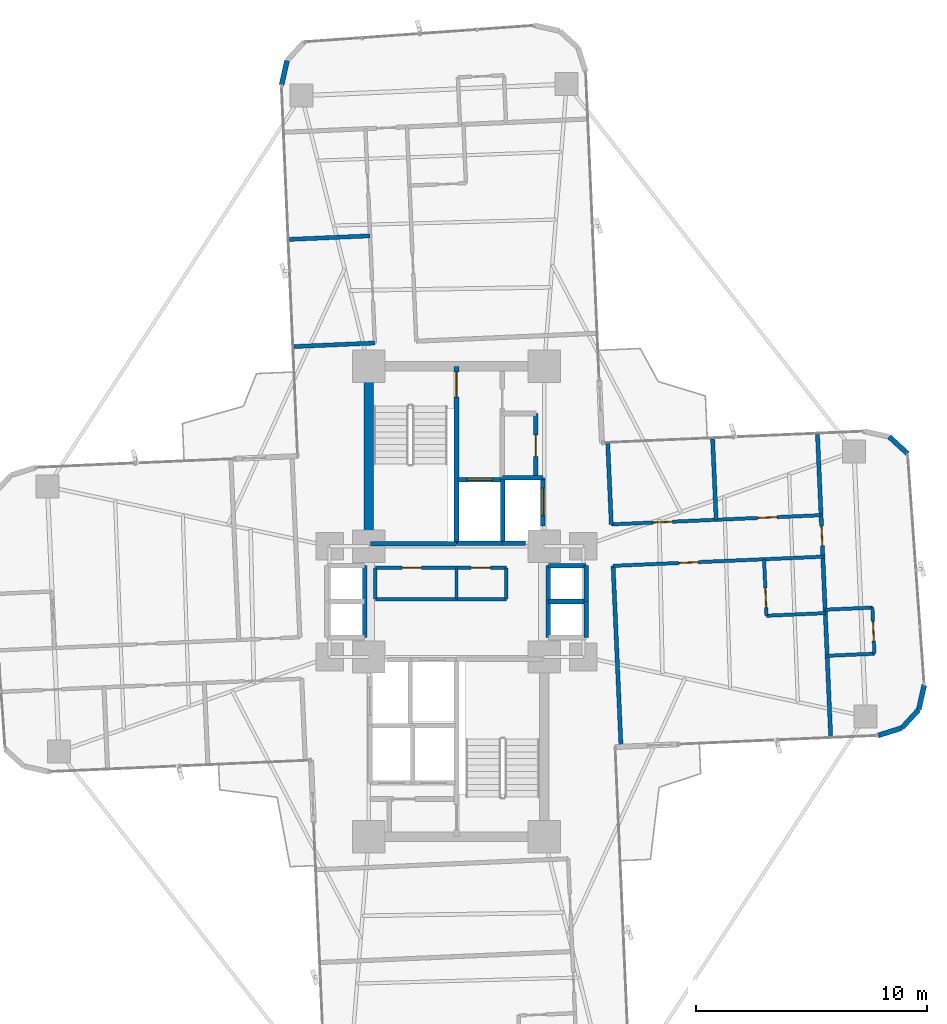
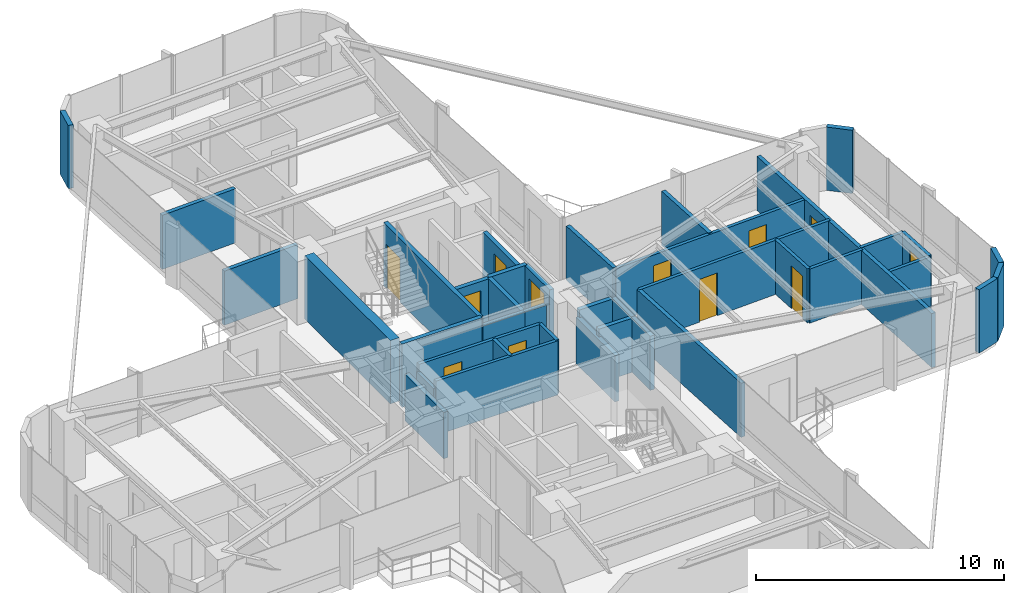
# One storey, part 24 of 26: 39 walls, 12 doors, 12 openings.
"""IFC4 building model written with IfcOpenShell, lengths in metres."""

from ifc_helpers import new_model, si_unit, direction, frame, frame_2d, origin, origin_2d, place, context, subcontext, project, spatial, rectangle, extrude, source, transform, mapped, material, layer, layer_set, type_object, element, fill, save


model = new_model("IFC4")

# Units and contexts
model_context = context("Model", 3, precision=1e-05, world=origin(), true_north=direction((0.0, 1.0)))
body_context = subcontext(model_context, "Body", "Model", "MODEL_VIEW")
ifc_project = project(units=[si_unit("LENGTHUNIT", "METRE"), si_unit("AREAUNIT", "SQUARE_METRE"), si_unit("VOLUMEUNIT", "CUBIC_METRE"), si_unit("PLANEANGLEUNIT", "RADIAN"), si_unit("MASSUNIT", "GRAM", prefix="KILO")], contexts=[model_context])

# Site, building, storey
site_placement = place(None, origin())
site = spatial("IfcSite", under=ifc_project, at=site_placement, CompositionType="ELEMENT")
building_placement = place(site_placement, origin())
building = spatial("IfcBuilding", under=site, at=building_placement, Name="Sahyath Konkavel Grand Hotel", CompositionType="ELEMENT")
storey_placement = place(building_placement, frame((0.0, 0.0, 114.800048828125)))
storey = spatial("IfcBuildingStorey", under=building, at=storey_placement, Name="L31", CompositionType="ELEMENT", Elevation=114.800048828125)

# Walls
ifc_material_1 = material(Name="Concrete C50/60", Category="concrete")
ifc_layer_1 = layer(ifc_material_1, 0.419921875)
ifc_layer_set_1 = layer_set([ifc_layer_1], Name="Concrete C50/60")
wall_type_1 = type_object("IfcWallType", Name="CWALL-420", PredefinedType="SHEAR", material=ifc_layer_set_1)
wall_1_placement = place(storey_placement, frame((-3.800048828125, 2.85009765625, 0.0), z_axis=(0.0, 0.0, 1.0), x_axis=(0.0, 1.0, 0.0)))
element("IfcWall", 1, at=wall_1_placement, inside=storey, type_object=wall_type_1, Name="L31 North Core Shear Wall W", PredefinedType="SHEAR", context=body_context, shape_type="SweptSolid", body=[
    extrude(rectangle(XDim=6.89990234375, YDim=0.419921875, at=frame_2d((3.449951171875, 0.0))), origin(), (0.0, 0.0, 1.0), 3.10986328125),
])
ifc_material_2 = material(Name="Warm Buff Sandstone Insulated Concrete C40/50", Category="masonry")
ifc_layer_2 = layer(ifc_material_2, 0.219970703125)
ifc_layer_set_2 = layer_set([ifc_layer_2], Name="Warm Buff Sandstone Insulated Concrete C40/50")
wall_type_2 = type_object("IfcWallType", Name="WLL-BALC-THRESH", PredefinedType="STANDARD", material=ifc_layer_set_2)
for number, where, z_axis, x_axis, name in (
    (2, (18.270751953125, -5.80859375, 0.0), (0.0, 0.0, 1.0), (0.953721713582, 0.30069069331, 0.0), "L31 Rounded Corner Sandstone Pier 1"),
    (3, (19.3076171875, -5.481689453125, 0.0), (0.0, 0.0, 1.0), (0.675551721847, 0.737312600672, 0.0), "L31 Rounded Corner Sandstone Pier 2"),
):
    element("IfcWall", number, at=place(storey_placement, frame(where, z_axis=z_axis, x_axis=x_axis)), inside=storey, type_object=wall_type_2, Name=name, PredefinedType="STANDARD", context=body_context, shape_type="SweptSolid", body=[
        extrude(rectangle(XDim=1.087158203125, YDim=0.219970703125, at=frame_2d((0.54345703125, 0.0))), origin(), (0.0, 0.0, 1.0), 3.10986328125),
    ])
for number, where, z_axis, x_axis, name in (
    (4, (20.0419921875, -4.68017578125, 0.0), (0.0, 0.0, 1.0), (0.216288323511, 0.976329535102, 0.0), "L31 Rounded Corner Sandstone Pier 3"),
    (5, (19.5576171875, 6.4091796875, 0.0), (0.0, 0.0, 1.0), (-0.737210081318, 0.675663596772, 0.0), "L31 Rounded Corner Sandstone Pier 5"),
):
    element("IfcWall", number, at=place(storey_placement, frame(where, z_axis=z_axis, x_axis=x_axis)), inside=storey, type_object=wall_type_2, Name=name, PredefinedType="STANDARD", context=body_context, shape_type="SweptSolid", body=[
        extrude(rectangle(XDim=1.0869140625, YDim=0.219970703125, at=frame_2d((0.54345703125, 0.0))), origin(), (0.0, 0.0, 1.0), 3.10986328125),
    ])
wall_2_placement = place(storey_placement, frame((-7.3486328125, 23.451904296875, 0.0), z_axis=(0.0, 0.0, 1.0), x_axis=(-0.216454939174, -0.976292609471, 0.0)))
element("IfcWall", 6, at=wall_2_placement, inside=storey, type_object=wall_type_2, Name="L31 Rounded Corner Sandstone Pier 14", PredefinedType="STANDARD", context=body_context, shape_type="SweptSolid", body=[
    extrude(rectangle(XDim=1.08740234375, YDim=0.219970703125, at=frame_2d((0.543701171875, 0.0))), origin(), (0.0, 0.0, 1.0), 3.10986328125),
])

# Wall, opening, door
ifc_material_3 = material(Name="Concrete C40/50", Category="concrete")
ifc_layer_3 = layer(ifc_material_3, 0.199951171875)
ifc_layer_set_3 = layer_set([ifc_layer_3], Name="Concrete C40/50")
wall_type_3 = type_object("IfcWallType", Name="WLL-CORE-200", PredefinedType="SOLIDWALL", material=ifc_layer_set_3)
wall_3_placement = place(storey_placement, frame((0.0, 2.5, 0.0), z_axis=(0.0, 0.0, 1.0), x_axis=(0.0, 1.0, 0.0)))
wall_3 = element("IfcWall", 7, at=wall_3_placement, inside=storey, type_object=wall_type_3, Name="L31 Stair ST-1 Shaft Wall E", PredefinedType="SOLIDWALL", context=body_context, shape_type="SweptSolid", body=[
    extrude(rectangle(XDim=7.679931640625, YDim=0.199951171875, at=frame_2d((3.83984375, 0.0))), origin(), (0.0, 0.0, 1.0), 3.10986328125),
])
opening_1_placement = place(wall_3_placement, frame((6.360107421875, 0.0, 0.0)))
opening_1 = element("IfcOpeningElement", 8, at=opening_1_placement, cuts=wall_3, Name="Opening D-F12B", PredefinedType="OPENING", context=body_context, shape_type="SweptSolid", body=[
    extrude(rectangle(XDim=1.10009765625, YDim=2.14990234375, at=frame_2d((0.550048828125, 1.074951171875))), frame((0.0, 0.10986328125, 0.0), z_axis=(0.0, -1.0, 0.0), x_axis=(1.0, 0.0, 0.0)), (0.0, 0.0, 1.0), 0.219970703125),
])
ifc_material_4 = material(Name="Steel E350 Smokeproof Fire Door", Category="steel")
door_type_1 = type_object("IfcDoorType", Name="DR-FD120-1100", OperationType="NOTDEFINED", PredefinedType="DOOR", material=ifc_material_4)
shared_shape_1 = source(origin(), body_context, "Body", "SweptSolid", [
    extrude(rectangle(XDim=1.10009765625, YDim=0.050048828125, at=origin_2d()), origin(), (0.0, 0.0, 1.0), 2.14990234375),
])
door_1_placement = place(opening_1_placement, frame((0.550048828125, 0.0, 0.0)))
door_1 = element("IfcDoor", 9, at=door_1_placement, inside=storey, type_object=door_type_1, Name="L31 Stair ST-1 Fire Door", OperationType="SINGLE_SWING_LEFT", OverallHeight=2.14990234375, OverallWidth=1.10009765625, PredefinedType="DOOR", context=body_context, shape_type="MappedRepresentation", body=[
    mapped(shared_shape_1, transform((0.0, 0.0, 0.0), scale=1.0)),
])
fill(opening_1, door_1)

# Walls
wall_4_placement = place(storey_placement, frame((-3.719970703125, 2.5, 0.0), z_axis=(0.0, 0.0, 1.0), x_axis=(1.0, 0.0, 0.0)))
element("IfcWall", 10, at=wall_4_placement, inside=storey, type_object=wall_type_3, Name="L31 Stair ST-1 Shaft Wall S", PredefinedType="SOLIDWALL", context=body_context, shape_type="SweptSolid", body=[
    extrude(rectangle(XDim=3.719970703125, YDim=0.199951171875, at=frame_2d((1.85986328125, 0.0))), origin(), (0.0, 0.0, 1.0), 3.10986328125),
])
wall_5_placement = place(storey_placement, frame((2.0, 2.5, 0.0), z_axis=(0.0, 0.0, 1.0), x_axis=(0.0, 1.0, 0.0)))
element("IfcWall", 11, at=wall_5_placement, inside=storey, type_object=wall_type_3, Name="L31 Partition SH-FFL1-E", PredefinedType="SOLIDWALL", context=body_context, shape_type="SweptSolid", body=[
    extrude(rectangle(XDim=2.780029296875, YDim=0.199951171875, at=frame_2d((1.39013671875, 0.0))), origin(), (0.0, 0.0, 1.0), 2.659912109375),
])
wall_6_placement = place(storey_placement, frame((0.050048828125, 2.52001953125, 0.0), z_axis=(0.0, 0.0, 1.0), x_axis=(1.0, 0.0, 0.0)))
element("IfcWall", 12, at=wall_6_placement, inside=storey, type_object=wall_type_3, Name="L31 Partition SH-FFL1-S", PredefinedType="SOLIDWALL", context=body_context, shape_type="SweptSolid", body=[
    extrude(rectangle(XDim=1.949951171875, YDim=0.199951171875, at=frame_2d((0.97509765625, 0.0))), origin(), (0.0, 0.0, 1.0), 2.659912109375),
])

# Wall, opening, door
wall_7_placement = place(storey_placement, frame((0.050048828125, 5.280029296875, 0.0), z_axis=(0.0, 0.0, 1.0), x_axis=(1.0, 0.0, 0.0)))
wall_7 = element("IfcWall", 13, at=wall_7_placement, inside=storey, type_object=wall_type_3, Name="L31 Partition SH-FFL1-N", PredefinedType="SOLIDWALL", context=body_context, shape_type="SweptSolid", body=[
    extrude(rectangle(XDim=1.929931640625, YDim=0.199951171875, at=frame_2d((0.96484375, 0.0))), origin(), (0.0, 0.0, 1.0), 2.659912109375),
])
opening_2_placement = place(wall_7_placement, frame((0.39990234375, 0.0, 0.0)))
opening_2 = element("IfcOpeningElement", 14, at=opening_2_placement, cuts=wall_7, Name="Opening LD-11", PredefinedType="OPENING", context=body_context, shape_type="SweptSolid", body=[
    extrude(rectangle(XDim=1.10009765625, YDim=2.199951171875, at=frame_2d((0.550048828125, 1.10009765625))), frame((0.0, 0.10986328125, 0.0), z_axis=(0.0, -1.0, 0.0), x_axis=(1.0, 0.0, 0.0)), (0.0, 0.0, 1.0), 0.219970703125),
])
ifc_material_5 = material(Name="Bronze Lift Landing Door 1100")
door_type_2 = type_object("IfcDoorType", Name="DR-LIFT-1100", OperationType="DOUBLE_DOOR_SLIDING", PredefinedType="DOOR", material=ifc_material_5)
shared_shape_2 = source(origin(), body_context, "Body", "SweptSolid", [
    extrude(rectangle(XDim=1.10009765625, YDim=0.050048828125, at=origin_2d()), origin(), (0.0, 0.0, 1.0), 2.199951171875),
])
door_2_placement = place(opening_2_placement, frame((0.550048828125, 0.0, 0.0)))
door_2 = element("IfcDoor", 15, at=door_2_placement, inside=storey, type_object=door_type_2, Name="L31 Lift FFL-1 Landing Door", OperationType="DOUBLE_DOOR_SLIDING", OverallHeight=2.199951171875, OverallWidth=1.10009765625, PredefinedType="DOOR", context=body_context, shape_type="MappedRepresentation", body=[
    mapped(shared_shape_2, transform((0.0, 0.0, 0.0), scale=1.0)),
])
fill(opening_2, door_2)

# Walls
wall_8_placement = place(storey_placement, frame((2.0, 2.52001953125, 0.0), z_axis=(0.0, 0.0, 1.0), x_axis=(1.0, 0.0, 0.0)))
element("IfcWall", 16, at=wall_8_placement, inside=storey, type_object=wall_type_3, Name="L31 Partition SH-SVL1-S", PredefinedType="SOLIDWALL", context=body_context, shape_type="SweptSolid", body=[
    extrude(rectangle(XDim=1.0, YDim=0.199951171875, at=frame_2d((0.5, 0.0))), origin(), (0.0, 0.0, 1.0), 2.659912109375),
])
wall_9_placement = place(storey_placement, frame((2.0, 5.360107421875, 0.0), z_axis=(0.0, 0.0, 1.0), x_axis=(1.0, 0.0, 0.0)))
element("IfcWall", 17, at=wall_9_placement, inside=storey, type_object=wall_type_3, Name="L31 Partition SH-SVL1-N", PredefinedType="SOLIDWALL", context=body_context, shape_type="SweptSolid", body=[
    extrude(rectangle(XDim=1.739990234375, YDim=0.199951171875, at=frame_2d((0.8701171875, 0.0))), origin(), (0.0, 0.0, 1.0), 2.659912109375),
])

# Wall, opening, door
wall_10_placement = place(storey_placement, frame((3.739990234375, 3.280029296875, 0.0), z_axis=(0.0, 0.0, 1.0), x_axis=(0.0, 1.0, 0.0)))
wall_10 = element("IfcWall", 18, at=wall_10_placement, inside=storey, type_object=wall_type_3, Name="L31 Partition SH-SVL1-E", PredefinedType="SOLIDWALL", context=body_context, shape_type="SweptSolid", body=[
    extrude(rectangle(XDim=2.080078125, YDim=0.199951171875, at=frame_2d((1.0400390625, 0.0))), origin(), (0.0, 0.0, 1.0), 2.659912109375),
])
opening_3_placement = place(wall_10_placement, frame((0.43994140625, 0.0, 0.0)))
opening_3 = element("IfcOpeningElement", 19, at=opening_3_placement, cuts=wall_10, Name="Opening LD-12", PredefinedType="OPENING", context=body_context, shape_type="SweptSolid", body=[
    extrude(rectangle(XDim=1.199951171875, YDim=2.199951171875, at=frame_2d((0.60009765625, 1.10009765625))), frame((0.0, 0.10986328125, 0.0), z_axis=(0.0, -1.0, 0.0), x_axis=(1.0, 0.0, 0.0)), (0.0, 0.0, 1.0), 0.219970703125),
])
ifc_material_6 = material(Name="Stainless Steel Lift Landing Door 1200", Category="steel")
door_type_3 = type_object("IfcDoorType", Name="DR-LIFT-1200", OperationType="DOUBLE_DOOR_SLIDING", PredefinedType="DOOR", material=ifc_material_6)
shared_shape_3 = source(origin(), body_context, "Body", "SweptSolid", [
    extrude(rectangle(XDim=1.199951171875, YDim=0.050048828125, at=origin_2d()), origin(), (0.0, 0.0, 1.0), 2.199951171875),
])
door_3_placement = place(opening_3_placement, frame((0.60009765625, 0.0, 0.0)))
door_3 = element("IfcDoor", 20, at=door_3_placement, inside=storey, type_object=door_type_3, Name="L31 Service Lift SVL-1 Landing Door", OperationType="DOUBLE_DOOR_SLIDING", OverallHeight=2.199951171875, OverallWidth=1.199951171875, PredefinedType="DOOR", context=body_context, shape_type="MappedRepresentation", body=[
    mapped(shared_shape_3, transform((0.0, 0.0, 0.0), scale=1.0)),
])
fill(opening_3, door_3)

# Walls
wall_11_placement = place(storey_placement, frame((3.97998046875, -1.56005859375, 0.0), z_axis=(0.0, 0.0, 1.0), x_axis=(0.0, 1.0, 0.0)))
element("IfcWall", 21, at=wall_11_placement, inside=storey, type_object=wall_type_3, Name="L31 Partition SH-PL56-W", PredefinedType="SOLIDWALL", context=body_context, shape_type="SweptSolid", body=[
    extrude(rectangle(XDim=3.1201171875, YDim=0.199951171875, at=frame_2d((1.56005859375, 0.0))), origin(), (0.0, 0.0, 1.0), 2.280029296875),
])
for number, where, z_axis, x_axis, name in (
    (22, (3.97998046875, 1.56005859375, 0.0), (0.0, 0.0, 1.0), (1.0, 0.0, 0.0), "L31 Partition SH-PL56-N"),
    (23, (3.97998046875, 0.0, 0.0), (0.0, 0.0, 1.0), (1.0, 0.0, 0.0), "L31 Partition SH-PL56-M"),
):
    element("IfcWall", number, at=place(storey_placement, frame(where, z_axis=z_axis, x_axis=x_axis)), inside=storey, type_object=wall_type_3, Name=name, PredefinedType="SOLIDWALL", context=body_context, shape_type="SweptSolid", body=[
        extrude(rectangle(XDim=1.64013671875, YDim=0.199951171875, at=frame_2d((0.820068359375, 0.0))), origin(), (0.0, 0.0, 1.0), 2.659912109375),
    ])
for number, where, z_axis, x_axis, name in (
    (24, (5.6201171875, 0.0, 0.0), (0.0, 0.0, 1.0), (0.0, 1.0, 0.0), "L31 Partition SH-PL5-E"),
    (25, (5.6201171875, -1.56005859375, 0.0), (0.0, 0.0, 1.0), (0.0, 1.0, 0.0), "L31 Partition SH-PL6-E"),
):
    element("IfcWall", number, at=place(storey_placement, frame(where, z_axis=z_axis, x_axis=x_axis)), inside=storey, type_object=wall_type_3, Name=name, PredefinedType="SOLIDWALL", context=body_context, shape_type="SweptSolid", body=[
        extrude(rectangle(XDim=1.56005859375, YDim=0.199951171875, at=frame_2d((0.780029296875, 0.0))), origin(), (0.0, 0.0, 1.0), 2.659912109375),
    ])
wall_12_placement = place(storey_placement, frame((-3.97998046875, -1.56005859375, 0.0), z_axis=(0.0, 0.0, 1.0), x_axis=(0.0, 1.0, 0.0)))
element("IfcWall", 26, at=wall_12_placement, inside=storey, type_object=wall_type_3, Name="L31 Partition SH-SL12-E", PredefinedType="SOLIDWALL", context=body_context, shape_type="SweptSolid", body=[
    extrude(rectangle(XDim=3.1201171875, YDim=0.199951171875, at=frame_2d((1.56005859375, 0.0))), origin(), (0.0, 0.0, 1.0), 2.280029296875),
])

# Wall, opening, door
wall_13_placement = place(storey_placement, frame((3.43994140625, 5.3798828125, 0.0), z_axis=(0.0, 0.0, 1.0), x_axis=(0.0, 1.0, 0.0)))
wall_13 = element("IfcWall", 27, at=wall_13_placement, inside=storey, type_object=wall_type_3, Name="L31 Reclaimed North Core Wall E", PredefinedType="SOLIDWALL", context=body_context, shape_type="SweptSolid", body=[
    extrude(rectangle(XDim=2.77001953125, YDim=0.199951171875, at=frame_2d((1.385009765625, 0.0))), origin(), (0.0, 0.0, 1.0), 2.659912109375),
])
opening_4_placement = place(wall_13_placement, frame((0.89990234375, 0.0, 0.0)))
opening_4 = element("IfcOpeningElement", 28, at=opening_4_placement, cuts=wall_13, Name="Opening D-F06B", PredefinedType="OPENING", context=body_context, shape_type="SweptSolid", body=[
    extrude(rectangle(XDim=0.949951171875, YDim=2.14990234375, at=frame_2d((0.47509765625, 1.074951171875))), frame((0.0, 0.10986328125, 0.0), z_axis=(0.0, -1.0, 0.0), x_axis=(1.0, 0.0, 0.0)), (0.0, 0.0, 1.0), 0.219970703125),
])
ifc_material_7 = material(Name="Teak Veneer Fire-Rated Guest Entrance Door")
door_type_4 = type_object("IfcDoorType", Name="DR-FD60-950", OperationType="NOTDEFINED", PredefinedType="DOOR", material=ifc_material_7)
shared_shape_4 = source(origin(), body_context, "Body", "SweptSolid", [
    extrude(rectangle(XDim=0.949951171875, YDim=0.050048828125, at=origin_2d()), origin(), (0.0, 0.0, 1.0), 2.14990234375),
])
door_4_placement = place(opening_4_placement, frame((0.47509765625, 0.0, 0.0)))
door_4 = element("IfcDoor", 29, at=door_4_placement, inside=storey, type_object=door_type_4, Name="L31 Door NC-REC1-D", OperationType="SINGLE_SWING_RIGHT", OverallHeight=2.14990234375, OverallWidth=0.949951171875, PredefinedType="DOOR", context=body_context, shape_type="MappedRepresentation", body=[
    mapped(shared_shape_4, transform((0.0, 0.0, 0.0), scale=1.0)),
])
fill(opening_4, door_4)

# Walls
ifc_material_8 = material(Name="Twin-Stud Acoustic Gypsum Plasterboard Partition")
ifc_layer_4 = layer(ifc_material_8, 0.179931640625)
ifc_layer_set_4 = layer_set([ifc_layer_4], Name="Twin-Stud Acoustic Gypsum Plasterboard Partition")
wall_type_4 = type_object("IfcWallType", Name="WLL-DEMISE-180", PredefinedType="PARTITIONING", material=ifc_layer_set_4)
wall_14_placement = place(storey_placement, frame((6.71044921875, 3.345947265625, 0.0), z_axis=(0.0, 0.0, 1.0), x_axis=(-0.043597663116, 0.999049169846, 0.0)))
element("IfcWall", 30, at=wall_14_placement, inside=storey, type_object=wall_type_4, Name="L31 Partition E-INL", PredefinedType="PARTITIONING", context=body_context, shape_type="SweptSolid", body=[
    extrude(rectangle(XDim=3.5, YDim=0.179931640625, at=frame_2d((1.75, 0.0))), origin(), (0.0, 0.0, 1.0), 2.659912109375),
])
wall_15_placement = place(storey_placement, frame((7.129150390625, -6.2451171875, 0.0), z_axis=(0.0, 0.0, 1.0), x_axis=(-0.043600217373, 0.999049058378, 0.0)))
element("IfcWall", 31, at=wall_15_placement, inside=storey, type_object=wall_type_4, Name="L31 Partition E-INR", PredefinedType="PARTITIONING", context=body_context, shape_type="SweptSolid", body=[
    extrude(rectangle(XDim=7.800048828125, YDim=0.179931640625, at=frame_2d((3.89990234375, 0.0))), origin(), (0.0, 0.0, 1.0), 2.659912109375),
])
wall_16_placement = place(storey_placement, frame((11.256103515625, 3.54443359375, 0.0), z_axis=(0.0, 0.0, 1.0), x_axis=(-0.043597663116, 0.999049169846, 0.0)))
element("IfcWall", 32, at=wall_16_placement, inside=storey, type_object=wall_type_4, Name="L31 Partition E-E4L1-DEM", PredefinedType="PARTITIONING", context=body_context, shape_type="SweptSolid", body=[
    extrude(rectangle(XDim=3.5, YDim=0.179931640625, at=frame_2d((1.75, 0.0))), origin(), (0.0, 0.0, 1.0), 2.659912109375),
])

# Wall, opening, door
wall_17_placement = place(storey_placement, frame((16.220458984375, -5.847900390625, 0.0), z_axis=(0.0, 0.0, 1.0), x_axis=(-0.043610300466, 0.999048618283, 0.0)))
wall_17 = element("IfcWall", 33, at=wall_17_placement, inside=storey, type_object=wall_type_4, Name="L31 Partition E-ETIP-END", PredefinedType="PARTITIONING", context=body_context, shape_type="SweptSolid", body=[
    extrude(rectangle(XDim=13.099853515625, YDim=0.179931640625, at=frame_2d((6.5498046875, 0.0))), origin(), (0.0, 0.0, 1.0), 2.659912109375),
])
opening_5_placement = place(wall_17_placement, frame((8.27490234375, 0.0, 0.0)))
opening_5 = element("IfcOpeningElement", 34, at=opening_5_placement, cuts=wall_17, Name="Opening D-F06D", PredefinedType="OPENING", context=body_context, shape_type="SweptSolid", body=[
    extrude(rectangle(XDim=0.85009765625, YDim=2.10009765625, at=frame_2d((0.425048828125, 1.050048828125))), frame((0.0, 0.10009765625, 0.0), z_axis=(0.0, -1.0, 0.0), x_axis=(1.0, 0.0, 0.0)), (0.0, 0.0, 1.0), 0.199951171875),
])
ifc_material_9 = material(Name="Fire-Rated Shaft Access Door")
door_type_5 = type_object("IfcDoorType", Name="DR-FD60-850", OperationType="NOTDEFINED", PredefinedType="DOOR", material=ifc_material_9)
shared_shape_5 = source(origin(), body_context, "Body", "SweptSolid", [
    extrude(rectangle(XDim=0.85009765625, YDim=0.050048828125, at=origin_2d()), origin(), (0.0, 0.0, 1.0), 2.10009765625),
])
door_5_placement = place(opening_5_placement, frame((0.425048828125, 0.0, 0.0)))
door_5 = element("IfcDoor", 35, at=door_5_placement, inside=storey, type_object=door_type_5, Name="L31 Door E-ETIP-ED", OperationType="SINGLE_SWING_RIGHT", OverallHeight=2.10009765625, OverallWidth=0.85009765625, PredefinedType="DOOR", context=body_context, shape_type="MappedRepresentation", body=[
    mapped(shared_shape_5, transform((0.0, 0.0, 0.0), scale=1.0)),
])
fill(opening_5, door_5)

# Walls
for number, where, z_axis, x_axis, name in (
    (36, (-3.542236328125, 11.206298828125, 0.0), (0.0, 0.0, 1.0), (-0.999046129111, -0.04366728647, 0.0), "L31 Partition N-INL"),
    (37, (-3.7451171875, 15.851806640625, 0.0), (0.0, 0.0, 1.0), (-0.999049169846, -0.043597663116, 0.0), "L31 Partition N-N4L1-DEM"),
):
    element("IfcWall", number, at=place(storey_placement, frame(where, z_axis=z_axis, x_axis=x_axis)), inside=storey, type_object=wall_type_4, Name=name, PredefinedType="PARTITIONING", context=body_context, shape_type="SweptSolid", body=[
        extrude(rectangle(XDim=3.5, YDim=0.179931640625, at=frame_2d((1.75, 0.0))), origin(), (0.0, 0.0, 1.0), 2.659912109375),
    ])
ifc_material_10 = material(Name="Fire-Rated Gypsum Plasterboard Partition")
ifc_layer_5 = layer(ifc_material_10, 0.14990234375)
ifc_layer_set_5 = layer_set([ifc_layer_5], Name="Fire-Rated Gypsum Plasterboard Partition")
wall_type_5 = type_object("IfcWallType", Name="WLL-PART-150", PredefinedType="PARTITIONING", material=ifc_layer_set_5)
wall_18_placement = place(storey_placement, frame((-3.52001953125, 0.10009765625, 0.0), z_axis=(0.0, 0.0, 1.0), x_axis=(1.0, 0.0, 0.0)))
element("IfcWall", 38, at=wall_18_placement, inside=storey, type_object=wall_type_5, Name="L31 Partition CC-S0-FIX", PredefinedType="PARTITIONING", context=body_context, shape_type="SweptSolid", body=[
    extrude(rectangle(XDim=5.679931640625, YDim=0.14990234375, at=frame_2d((2.83984375, 0.0))), origin(), (0.0, 0.0, 1.0), 2.659912109375),
])

# Wall, openings, doors
wall_19_placement = place(storey_placement, frame((-3.52001953125, 1.4599609375, 0.0), z_axis=(0.0, 0.0, 1.0), x_axis=(1.0, 0.0, 0.0)))
wall_19 = element("IfcWall", 39, at=wall_19_placement, inside=storey, type_object=wall_type_5, Name="L31 Partition CC-N0", PredefinedType="PARTITIONING", context=body_context, shape_type="SweptSolid", body=[
    extrude(rectangle(XDim=5.679931640625, YDim=0.14990234375, at=frame_2d((2.83984375, 0.0))), origin(), (0.0, 0.0, 1.0), 2.659912109375),
])
opening_6_placement = place(wall_19_placement, frame((1.14990234375, 0.0, 0.0)))
opening_6 = element("IfcOpeningElement", 40, at=opening_6_placement, cuts=wall_19, Name="Opening D-F06D", PredefinedType="OPENING", context=body_context, shape_type="SweptSolid", body=[
    extrude(rectangle(XDim=0.85009765625, YDim=2.10009765625, at=frame_2d((0.425048828125, 1.050048828125))), frame((0.0, 0.0849609375, 0.0), z_axis=(0.0, -1.0, 0.0), x_axis=(1.0, 0.0, 0.0)), (0.0, 0.0, 1.0), 0.169921875),
])
opening_7_placement = place(wall_19_placement, frame((4.14990234375, 0.0, 0.0)))
opening_7 = element("IfcOpeningElement", 41, at=opening_7_placement, cuts=wall_19, Name="Opening D-F06D", PredefinedType="OPENING", context=body_context, shape_type="SweptSolid", body=[
    extrude(rectangle(XDim=0.85009765625, YDim=2.10009765625, at=frame_2d((0.425048828125, 1.050048828125))), frame((0.0, 0.0849609375, 0.0), z_axis=(0.0, -1.0, 0.0), x_axis=(1.0, 0.0, 0.0)), (0.0, 0.0, 1.0), 0.169921875),
])
door_6_placement = place(opening_6_placement, frame((0.425048828125, 0.0, 0.0)))
door_6 = element("IfcDoor", 42, at=door_6_placement, inside=storey, type_object=door_type_5, Name="L31 Door CC-D0A", OperationType="SINGLE_SWING_LEFT", OverallHeight=2.10009765625, OverallWidth=0.85009765625, PredefinedType="DOOR", context=body_context, shape_type="MappedRepresentation", body=[
    mapped(shared_shape_5, transform((0.0, 0.0, 0.0), scale=1.0)),
])
fill(opening_6, door_6)
door_7_placement = place(opening_7_placement, frame((0.425048828125, 0.0, 0.0)))
door_7 = element("IfcDoor", 43, at=door_7_placement, inside=storey, type_object=door_type_5, Name="L31 Door CC-D0B", OperationType="SINGLE_SWING_RIGHT", OverallHeight=2.10009765625, OverallWidth=0.85009765625, PredefinedType="DOOR", context=body_context, shape_type="MappedRepresentation", body=[
    mapped(shared_shape_5, transform((0.0, 0.0, 0.0), scale=1.0)),
])
fill(opening_7, door_7)

# Walls
wall_20_placement = place(storey_placement, frame((-3.52001953125, 0.10009765625, 0.0), z_axis=(0.0, 0.0, 1.0), x_axis=(0.0, 1.0, 0.0)))
element("IfcWall", 44, at=wall_20_placement, inside=storey, type_object=wall_type_5, Name="L31 Partition CC-W0", PredefinedType="PARTITIONING", context=body_context, shape_type="SweptSolid", body=[
    extrude(rectangle(XDim=1.35986328125, YDim=0.14990234375, at=frame_2d((0.679931640625, 0.0))), origin(), (0.0, 0.0, 1.0), 2.280029296875),
])
for number, where, z_axis, x_axis, name in (
    (45, (2.159912109375, 0.10009765625, 0.0), (0.0, 0.0, 1.0), (0.0, 1.0, 0.0), "L31 Partition CC-E0"),
    (46, (0.0, 0.10009765625, 0.0), (0.0, 0.0, 1.0), (0.0, 1.0, 0.0), "L31 Partition CC-M0"),
):
    element("IfcWall", number, at=place(storey_placement, frame(where, z_axis=z_axis, x_axis=x_axis)), inside=storey, type_object=wall_type_5, Name=name, PredefinedType="PARTITIONING", context=body_context, shape_type="SweptSolid", body=[
        extrude(rectangle(XDim=1.35986328125, YDim=0.14990234375, at=frame_2d((0.679931640625, 0.0))), origin(), (0.0, 0.0, 1.0), 2.659912109375),
    ])

# Wall, openings, doors
wall_21_placement = place(storey_placement, frame((6.71044921875, 3.345947265625, 0.0), z_axis=(0.0, 0.0, 1.0), x_axis=(0.999048041751, 0.043623505985, 0.0)))
wall_21 = element("IfcWall", 47, at=wall_21_placement, inside=storey, type_object=wall_type_5, Name="L31 Partition E-CL", PredefinedType="PARTITIONING", context=body_context, shape_type="SweptSolid", body=[
    extrude(rectangle(XDim=9.099853515625, YDim=0.14990234375, at=frame_2d((4.5498046875, 0.0))), origin(), (0.0, 0.0, 1.0), 2.6298828125),
])
opening_8_placement = place(wall_21_placement, frame((1.800048828125, 0.0, 0.0)))
opening_8 = element("IfcOpeningElement", 48, at=opening_8_placement, cuts=wall_21, Name="Opening D-F06D", PredefinedType="OPENING", context=body_context, shape_type="SweptSolid", body=[
    extrude(rectangle(XDim=0.85009765625, YDim=2.10009765625, at=frame_2d((0.425048828125, 1.050048828125))), frame((0.0, 0.0849609375, 0.0), z_axis=(0.0, -1.0, 0.0), x_axis=(1.0, 0.0, 0.0)), (0.0, 0.0, 1.0), 0.169921875),
])
opening_9_placement = place(wall_21_placement, frame((6.35009765625, 0.0, 0.0)))
opening_9 = element("IfcOpeningElement", 49, at=opening_9_placement, cuts=wall_21, Name="Opening D-F06D", PredefinedType="OPENING", context=body_context, shape_type="SweptSolid", body=[
    extrude(rectangle(XDim=0.85009765625, YDim=2.10009765625, at=frame_2d((0.425048828125, 1.050048828125))), frame((0.0, 0.0849609375, 0.0), z_axis=(0.0, -1.0, 0.0), x_axis=(1.0, 0.0, 0.0)), (0.0, 0.0, 1.0), 0.169921875),
])
door_8_placement = place(opening_8_placement, frame((0.425048828125, 0.0, 0.0)))
door_8 = element("IfcDoor", 50, at=door_8_placement, inside=storey, type_object=door_type_5, Name="L31 Door E-E4L1-D", OperationType="SINGLE_SWING_LEFT", OverallHeight=2.10009765625, OverallWidth=0.85009765625, PredefinedType="DOOR", context=body_context, shape_type="MappedRepresentation", body=[
    mapped(shared_shape_5, transform((0.0, 0.0, 0.0), scale=1.0)),
])
fill(opening_8, door_8)
door_9_placement = place(opening_9_placement, frame((0.425048828125, 0.0, 0.0)))
door_9 = element("IfcDoor", 51, at=door_9_placement, inside=storey, type_object=door_type_5, Name="L31 Door E-E4L2-D", OperationType="SINGLE_SWING_RIGHT", OverallHeight=2.10009765625, OverallWidth=0.85009765625, PredefinedType="DOOR", context=body_context, shape_type="MappedRepresentation", body=[
    mapped(shared_shape_5, transform((0.0, 0.0, 0.0), scale=1.0)),
])
fill(opening_9, door_9)

# Wall, opening, door
wall_22_placement = place(storey_placement, frame((6.7890625, 1.547607421875, 0.0), z_axis=(0.0, 0.0, 1.0), x_axis=(0.999048041751, 0.043623505985, 0.0)))
wall_22 = element("IfcWall", 52, at=wall_22_placement, inside=storey, type_object=wall_type_5, Name="L31 Partition E-CR", PredefinedType="PARTITIONING", context=body_context, shape_type="SweptSolid", body=[
    extrude(rectangle(XDim=9.099853515625, YDim=0.14990234375, at=frame_2d((4.5498046875, 0.0))), origin(), (0.0, 0.0, 1.0), 2.659912109375),
])
opening_10_placement = place(wall_22_placement, frame((2.85009765625, 0.0, 0.0)))
opening_10 = element("IfcOpeningElement", 53, at=opening_10_placement, cuts=wall_22, Name="Opening D-F06D", PredefinedType="OPENING", context=body_context, shape_type="SweptSolid", body=[
    extrude(rectangle(XDim=0.85009765625, YDim=2.10009765625, at=frame_2d((0.425048828125, 1.050048828125))), frame((0.0, 0.0849609375, 0.0), z_axis=(0.0, -1.0, 0.0), x_axis=(1.0, 0.0, 0.0)), (0.0, 0.0, 1.0), 0.169921875),
])
door_10_placement = place(opening_10_placement, frame((0.425048828125, 0.0, 0.0)))
door_10 = element("IfcDoor", 54, at=door_10_placement, inside=storey, type_object=door_type_5, Name="L31 Door E-E4R1-ED", OperationType="SINGLE_SWING_RIGHT", OverallHeight=2.10009765625, OverallWidth=0.85009765625, PredefinedType="DOOR", context=body_context, shape_type="MappedRepresentation", body=[
    mapped(shared_shape_5, transform((0.0, 0.0, 0.0), scale=1.0)),
])
fill(opening_10, door_10)

wall_23_placement = place(storey_placement, frame((13.332763671875, 1.833251953125, 0.0), z_axis=(0.0, 0.0, 1.0), x_axis=(0.043644787072, -0.999047112283, 0.0)))
wall_23 = element("IfcWall", 55, at=wall_23_placement, inside=storey, type_object=wall_type_5, Name="L31 Partition E-E4R1-BS", PredefinedType="PARTITIONING", context=body_context, shape_type="SweptSolid", body=[
    extrude(rectangle(XDim=2.4501953125, YDim=0.14990234375, at=frame_2d((1.22509765625, 0.0))), origin(), (0.0, 0.0, 1.0), 2.659912109375),
])
opening_11_placement = place(wall_23_placement, frame((1.25, 0.0, 0.0)))
opening_11 = element("IfcOpeningElement", 56, at=opening_11_placement, cuts=wall_23, Name="Opening D-BT85", PredefinedType="OPENING", context=body_context, shape_type="SweptSolid", body=[
    extrude(rectangle(XDim=0.85009765625, YDim=2.10009765625, at=frame_2d((0.425048828125, 1.050048828125))), frame((0.0, 0.0849609375, 0.0), z_axis=(0.0, -1.0, 0.0), x_axis=(1.0, 0.0, 0.0)), (0.0, 0.0, 1.0), 0.169921875),
])
ifc_material_11 = material(Name="Moisture-Resistant Teak Bathroom Door")
door_type_6 = type_object("IfcDoorType", Name="DR-BATH-850", OperationType="NOTDEFINED", PredefinedType="DOOR", material=ifc_material_11)
door_11_placement = place(opening_11_placement, frame((0.425048828125, 0.0, 0.0)))
door_11 = element("IfcDoor", 57, at=door_11_placement, inside=storey, type_object=door_type_6, Name="L31 Door E-E4R1-BD", OperationType="SINGLE_SWING_LEFT", OverallHeight=2.10009765625, OverallWidth=0.85009765625, PredefinedType="DOOR", context=body_context, shape_type="MappedRepresentation", body=[
    mapped(shared_shape_5, transform((0.0, 0.0, 0.0), scale=1.0)),
])
fill(opening_11, door_11)

# Walls
wall_24_placement = place(storey_placement, frame((13.439697265625, -0.614501953125, 0.0), z_axis=(0.0, 0.0, 1.0), x_axis=(0.999046560091, 0.043657425146, 0.0)))
element("IfcWall", 58, at=wall_24_placement, inside=storey, type_object=wall_type_5, Name="L31 Partition E-E4R1-BF", PredefinedType="PARTITIONING", context=body_context, shape_type="SweptSolid", body=[
    extrude(rectangle(XDim=2.550048828125, YDim=0.14990234375, at=frame_2d((1.27490234375, 0.0))), origin(), (0.0, 0.0, 1.0), 2.659912109375),
])
wall_25_placement = place(storey_placement, frame((15.980712890625, -0.353271484375, 0.0), z_axis=(0.0, 0.0, 1.0), x_axis=(0.999049630844, 0.043587097972, 0.0)))
element("IfcWall", 59, at=wall_25_placement, inside=storey, type_object=wall_type_5, Name="L31 Partition E-ETIP-BN", PredefinedType="PARTITIONING", context=body_context, shape_type="SweptSolid", body=[
    extrude(rectangle(XDim=2.050048828125, YDim=0.14990234375, at=frame_2d((1.02490234375, 0.0))), origin(), (0.0, 0.0, 1.0), 2.659912109375),
])
wall_26_placement = place(storey_placement, frame((16.06787109375, -2.351318359375, 0.0), z_axis=(0.0, 0.0, 1.0), x_axis=(0.999049630844, 0.043587097972, 0.0)))
element("IfcWall", 60, at=wall_26_placement, inside=storey, type_object=wall_type_5, Name="L31 Partition E-ETIP-BS", PredefinedType="PARTITIONING", context=body_context, shape_type="SweptSolid", body=[
    extrude(rectangle(XDim=2.050048828125, YDim=0.14990234375, at=frame_2d((1.02490234375, 0.0))), origin(), (0.0, 0.0, 1.0), 2.6298828125),
])

# Wall, opening, door
wall_27_placement = place(storey_placement, frame((18.115966796875, -2.261962890625, 0.0), z_axis=(0.0, 0.0, 1.0), x_axis=(-0.043580257179, 0.999049929275, 0.0)))
wall_27 = element("IfcWall", 61, at=wall_27_placement, inside=storey, type_object=wall_type_5, Name="L31 Partition E-ETIP-BE", PredefinedType="PARTITIONING", context=body_context, shape_type="SweptSolid", body=[
    extrude(rectangle(XDim=2.0, YDim=0.14990234375, at=frame_2d((1.0, 0.0))), origin(), (0.0, 0.0, 1.0), 2.659912109375),
])
opening_12_placement = place(wall_27_placement, frame((0.550048828125, 0.0, 0.0)))
opening_12 = element("IfcOpeningElement", 62, at=opening_12_placement, cuts=wall_27, Name="Opening D-BT85", PredefinedType="OPENING", context=body_context, shape_type="SweptSolid", body=[
    extrude(rectangle(XDim=0.85009765625, YDim=2.10009765625, at=frame_2d((0.425048828125, 1.050048828125))), frame((0.0, 0.0849609375, 0.0), z_axis=(0.0, -1.0, 0.0), x_axis=(1.0, 0.0, 0.0)), (0.0, 0.0, 1.0), 0.169921875),
])
door_12_placement = place(opening_12_placement, frame((0.425048828125, 0.0, 0.0)))
door_12 = element("IfcDoor", 63, at=door_12_placement, inside=storey, type_object=door_type_6, Name="L31 Door E-ETIP-BD", OperationType="SINGLE_SWING_LEFT", OverallHeight=2.10009765625, OverallWidth=0.85009765625, PredefinedType="DOOR", context=body_context, shape_type="MappedRepresentation", body=[
    mapped(shared_shape_5, transform((0.0, 0.0, 0.0), scale=1.0)),
])
fill(opening_12, door_12)

save(model, "model.ifc")
